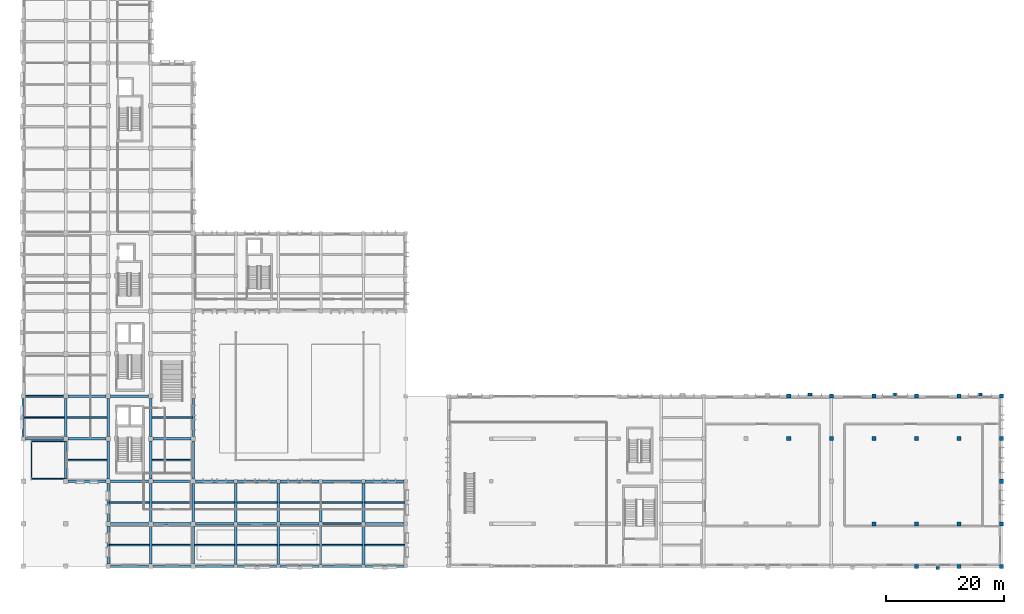
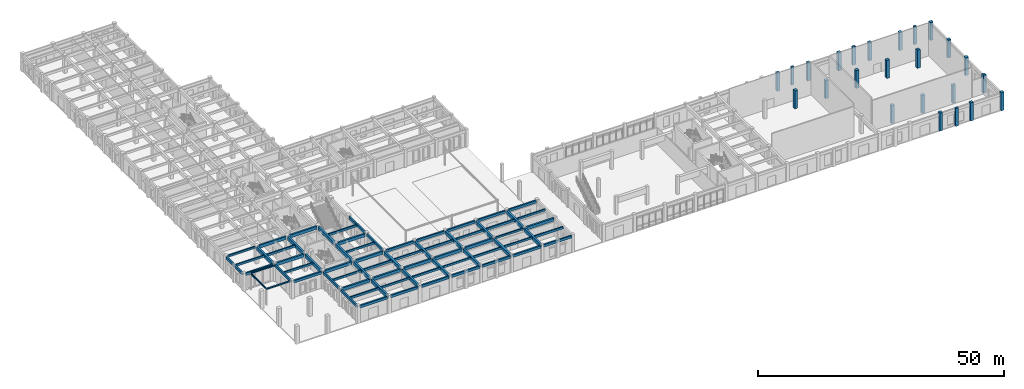
# One storey, part 8 of 43: 73 beams, 24 columns.
"""IFC4 building model written with IfcOpenShell, lengths in metres."""

from ifc_helpers import new_model, si_unit, direction, frame, origin, origin_2d, place, context, subcontext, project, spatial, rectangle, i_section, extrude, material, material_profile, profile_set, type_object, element, save


model = new_model("IFC4")

# Units and contexts
model_context = context("Model", 3, precision=1e-05, world=origin(), true_north=direction((0.0, 1.0)))
body_context = subcontext(model_context, "Body", "Model", "MODEL_VIEW")
ifc_project = project(units=[si_unit("LENGTHUNIT", "METRE"), si_unit("AREAUNIT", "SQUARE_METRE"), si_unit("VOLUMEUNIT", "CUBIC_METRE"), si_unit("PLANEANGLEUNIT", "RADIAN"), si_unit("MASSUNIT", "GRAM", prefix="KILO")], contexts=[model_context])

# Site, building, storey
site_placement = place(None, origin())
site = spatial("IfcSite", under=ifc_project, at=site_placement, CompositionType="ELEMENT")
building_placement = place(site_placement, origin())
building = spatial("IfcBuilding", under=site, at=building_placement, Name="Alvorim Cloister Faculty of Sciences", CompositionType="ELEMENT")
storey_placement = place(building_placement, origin())
storey = spatial("IfcBuildingStorey", under=building, at=storey_placement, Name="L00", CompositionType="ELEMENT", Elevation=0.0)

# Columns
ifc_material_1 = material(Name="Concrete C40", Category="concrete")
ifc_material_profile_1 = material_profile(ifc_material_1, rectangle(XDim=0.679931640625, YDim=0.679931640625, at=origin_2d()), Name="RC40-COL-680x680")
ifc_profile_set_1 = profile_set([ifc_material_profile_1], Name="Concrete C40")
column_type_1 = type_object("IfcColumnType", Name="COL-RC-680", PredefinedType="COLUMN", material=ifc_profile_set_1)
for number, where, z_axis, x_axis, name in (
    (1, (129.60009765625, 21.60009765625, 0.0), (0.0, 0.0, 1.0), (1.0, 0.0, 0.0), "L00 Column COL-0355"),
    (2, (129.60009765625, 28.800048828125, 0.0), (0.0, 0.0, 1.0), (1.0, 0.0, 0.0), "L00 Column COL-0356"),
    (3, (136.800048828125, 21.60009765625, 0.0), (0.0, 0.0, 1.0), (1.0, 0.0, 0.0), "L00 Column COL-0360"),
    (4, (136.800048828125, 28.800048828125, 0.0), (0.0, 0.0, 1.0), (1.0, 0.0, 0.0), "L00 Column COL-0361"),
    (5, (144.0, 7.199951171875, 0.0), (0.0, 0.0, 1.0), (1.0, 0.0, 0.0), "L00 Column COL-0363"),
    (6, (144.0, 21.60009765625, 0.0), (0.0, 0.0, 1.0), (1.0, 0.0, 0.0), "L00 Column COL-0364"),
    (7, (144.0, 28.800048828125, 0.0), (0.0, 0.0, 1.0), (1.0, 0.0, 0.0), "L00 Column COL-0365"),
    (8, (151.199951171875, 0.0, 0.0), (0.0, 0.0, 1.0), (1.0, 0.0, 0.0), "L00 Column COL-0366"),
    (9, (151.199951171875, 7.199951171875, 0.0), (0.0, 0.0, 1.0), (1.0, 0.0, 0.0), "L00 Column COL-0367"),
    (10, (151.199951171875, 21.60009765625, 0.0), (0.0, 0.0, 1.0), (1.0, 0.0, 0.0), "L00 Column COL-0368"),
    (11, (151.199951171875, 28.800048828125, 0.0), (0.0, 0.0, 1.0), (1.0, 0.0, 0.0), "L00 Column COL-0369"),
    (12, (158.39990234375, 0.0, 0.0), (0.0, 0.0, 1.0), (1.0, 0.0, 0.0), "L00 Column COL-0370"),
    (13, (158.39990234375, 7.199951171875, 0.0), (0.0, 0.0, 1.0), (1.0, 0.0, 0.0), "L00 Column COL-0371"),
    (14, (158.39990234375, 21.60009765625, 0.0), (0.0, 0.0, 1.0), (1.0, 0.0, 0.0), "L00 Column COL-0372"),
    (15, (158.39990234375, 28.800048828125, 0.0), (0.0, 0.0, 1.0), (1.0, 0.0, 0.0), "L00 Column COL-0373"),
    (16, (165.60009765625, 0.0, 0.0), (0.0, 0.0, 1.0), (1.0, 0.0, 0.0), "L00 Column COL-0374"),
    (17, (165.60009765625, 7.199951171875, 0.0), (0.0, 0.0, 1.0), (1.0, 0.0, 0.0), "L00 Column COL-0375"),
    (18, (165.60009765625, 14.39990234375, 0.0), (0.0, 0.0, 1.0), (1.0, 0.0, 0.0), "L00 Column COL-0376"),
    (19, (165.60009765625, 21.60009765625, 0.0), (0.0, 0.0, 1.0), (1.0, 0.0, 0.0), "L00 Column COL-0377"),
    (20, (165.60009765625, 28.800048828125, 0.0), (0.0, 0.0, 1.0), (1.0, 0.0, 0.0), "L00 Column COL-0378"),
):
    element("IfcColumn", number, at=place(storey_placement, frame(where, z_axis=z_axis, x_axis=x_axis)), inside=storey, type_object=column_type_1, Name=name, PredefinedType="COLUMN", context=body_context, shape_type="SweptSolid", body=[
        extrude(rectangle(XDim=0.679931640625, YDim=0.679931640625, at=origin_2d()), origin(), (0.0, 0.0, 1.0), 4.5),
    ])
ifc_material_2 = material(Name="Maua Grey Granite Stone", Category="masonry")
ifc_material_profile_2 = material_profile(ifc_material_2, rectangle(XDim=0.4599609375, YDim=0.6201171875, at=origin_2d()), Name="GRN-PIER-460x620")
ifc_profile_set_2 = profile_set([ifc_material_profile_2], Name="Maua Grey Granite Stone")
column_type_2 = type_object("IfcColumnType", Name="PIL-GRN-460x620", PredefinedType="PILASTER", material=ifc_profile_set_2)
for number, where, z_axis, x_axis, name in (
    (21, (154.800048828125, -0.280029296875, 0.0), (0.0, 0.0, 1.0), (0.0, 1.0, 0.0), "L00 Gothic Buttress Pier COL-1191"),
    (22, (133.199951171875, 29.080078125, 0.0), (0.0, 0.0, 1.0), (0.0, 1.0, 0.0), "L00 Gothic Buttress Pier COL-1209"),
    (23, (162.0, 29.080078125, 0.0), (0.0, 0.0, 1.0), (0.0, 1.0, 0.0), "L00 Gothic Buttress Pier COL-1215"),
):
    element("IfcColumn", number, at=place(storey_placement, frame(where, z_axis=z_axis, x_axis=x_axis)), inside=storey, type_object=column_type_2, Name=name, PredefinedType="PILASTER", context=body_context, shape_type="SweptSolid", body=[
        extrude(rectangle(XDim=0.4599609375, YDim=0.6201171875, at=origin_2d()), origin(), (0.0, 0.0, 1.0), 4.5),
    ])
ifc_material_profile_3 = material_profile(ifc_material_2, rectangle(XDim=0.52001953125, YDim=0.719970703125, at=origin_2d()), Name="GRN-PIER-520x720")
ifc_profile_set_3 = profile_set([ifc_material_profile_3], Name="Maua Grey Granite Stone")
column_type_3 = type_object("IfcColumnType", Name="PIL-GRN-520x720", PredefinedType="PILASTER", material=ifc_profile_set_3)
column_placement = place(storey_placement, frame((147.60009765625, 29.080078125, 0.0), z_axis=(0.0, 0.0, 1.0), x_axis=(0.0, 1.0, 0.0)))
element("IfcColumn", 24, at=column_placement, inside=storey, type_object=column_type_3, Name="L00 Gothic Buttress Pier COL-1212", PredefinedType="PILASTER", context=body_context, shape_type="SweptSolid", body=[
    extrude(rectangle(XDim=0.52001953125, YDim=0.719970703125, at=origin_2d()), origin(), (0.0, 0.0, 1.0), 4.5),
])

# Beams
ifc_material_profile_4 = material_profile(ifc_material_1, rectangle(XDim=0.260009765625, YDim=0.5, at=origin_2d()), Name="RC40-JST-260x500")
ifc_profile_set_4 = profile_set([ifc_material_profile_4], Name="Concrete C40")
beam_type_1 = type_object("IfcBeamType", Name="BM-JST-RC-260x500", PredefinedType="JOIST", material=ifc_profile_set_4)
for number, where, z_axis, x_axis, name in (
    (25, (0.175048828125, 25.199951171875, 4.0), (1.0, 0.0, 0.0), (0.0, 1.0, 0.0), "L00 Secondary Floor Joist BM-0814"),
    (26, (7.375, 18.0, 4.0), (1.0, 0.0, 0.0), (0.0, 1.0, 0.0), "L00 Secondary Floor Joist BM-0827"),
    (27, (14.574951171875, 10.800048828125, 4.0), (1.0, 0.0, 0.0), (0.0, 1.0, 0.0), "L00 Secondary Floor Joist BM-0842"),
):
    element("IfcBeam", number, at=place(storey_placement, frame(where, z_axis=z_axis, x_axis=x_axis)), inside=storey, type_object=beam_type_1, Name=name, PredefinedType="JOIST", context=body_context, shape_type="SweptSolid", body=[
        extrude(rectangle(XDim=0.260009765625, YDim=0.5, at=origin_2d()), origin(), (0.0, 0.0, 1.0), 6.800048828125),
    ])
beam_1_placement = place(storey_placement, frame((21.824951171875, 3.60009765625, 4.0), z_axis=(1.0, 0.0, 0.0), x_axis=(0.0, 1.0, 0.0)))
element("IfcBeam", 28, at=beam_1_placement, inside=storey, type_object=beam_type_1, Name="L00 Secondary Floor Joist BM-0849", PredefinedType="JOIST", context=body_context, shape_type="SweptSolid", body=[
    extrude(rectangle(XDim=0.260009765625, YDim=0.5, at=origin_2d()), origin(), (0.0, 0.0, 1.0), 6.75),
])
beam_2_placement = place(storey_placement, frame((21.824951171875, 18.0, 4.0), z_axis=(1.0, 0.0, 0.0), x_axis=(0.0, 1.0, 0.0)))
element("IfcBeam", 29, at=beam_2_placement, inside=storey, type_object=beam_type_1, Name="L00 Secondary Floor Joist BM-0851", PredefinedType="JOIST", context=body_context, shape_type="SweptSolid", body=[
    extrude(rectangle(XDim=0.260009765625, YDim=0.5, at=origin_2d()), origin(), (0.0, 0.0, 1.0), 6.800048828125),
])
for number, where, z_axis, x_axis, name in (
    (30, (29.02490234375, 10.800048828125, 4.0), (1.0, 0.0, 0.0), (0.0, 1.0, 0.0), "L00 Secondary Floor Joist BM-0861"),
    (31, (36.22509765625, 3.60009765625, 4.0), (1.0, 0.0, 0.0), (0.0, 1.0, 0.0), "L00 Secondary Floor Joist BM-0864"),
    (32, (43.425048828125, 10.800048828125, 4.0), (1.0, 0.0, 0.0), (0.0, 1.0, 0.0), "L00 Secondary Floor Joist BM-0868"),
    (33, (50.625, 3.60009765625, 4.0), (1.0, 0.0, 0.0), (0.0, 1.0, 0.0), "L00 Secondary Floor Joist BM-0871"),
):
    element("IfcBeam", number, at=place(storey_placement, frame(where, z_axis=z_axis, x_axis=x_axis)), inside=storey, type_object=beam_type_1, Name=name, PredefinedType="JOIST", context=body_context, shape_type="SweptSolid", body=[
        extrude(rectangle(XDim=0.260009765625, YDim=0.5, at=origin_2d()), origin(), (0.0, 0.0, 1.0), 6.75),
    ])
beam_3_placement = place(storey_placement, frame((57.824951171875, 10.800048828125, 4.0), z_axis=(1.0, 0.0, 0.0), x_axis=(0.0, 1.0, 0.0)))
element("IfcBeam", 34, at=beam_3_placement, inside=storey, type_object=beam_type_1, Name="L00 Secondary Floor Joist BM-0876", PredefinedType="JOIST", context=body_context, shape_type="SweptSolid", body=[
    extrude(rectangle(XDim=0.260009765625, YDim=0.5, at=origin_2d()), origin(), (0.0, 0.0, 1.0), 6.800048828125),
])
ifc_material_profile_5 = material_profile(ifc_material_1, rectangle(XDim=0.300048828125, YDim=0.550048828125, at=origin_2d()), Name="RC40-JST-300x550")
ifc_profile_set_5 = profile_set([ifc_material_profile_5], Name="Concrete C40")
beam_type_2 = type_object("IfcBeamType", Name="BM-JST-RC-300x550", PredefinedType="JOIST", material=ifc_profile_set_5)
beam_4_placement = place(storey_placement, frame((7.425048828125, 25.199951171875, 3.97509765625), z_axis=(1.0, 0.0, 0.0), x_axis=(0.0, 1.0, 0.0)))
element("IfcBeam", 35, at=beam_4_placement, inside=storey, type_object=beam_type_2, Name="L00 Secondary Floor Joist BM-0828", PredefinedType="JOIST", context=body_context, shape_type="SweptSolid", body=[
    extrude(rectangle(XDim=0.300048828125, YDim=0.550048828125, at=origin_2d()), origin(), (0.0, 0.0, 1.0), 6.75),
])
beam_5_placement = place(storey_placement, frame((14.574951171875, 3.60009765625, 3.97509765625), z_axis=(1.0, 0.0, 0.0), x_axis=(0.0, 1.0, 0.0)))
element("IfcBeam", 36, at=beam_5_placement, inside=storey, type_object=beam_type_2, Name="L00 Secondary Floor Joist BM-0841", PredefinedType="JOIST", context=body_context, shape_type="SweptSolid", body=[
    extrude(rectangle(XDim=0.300048828125, YDim=0.550048828125, at=origin_2d()), origin(), (0.0, 0.0, 1.0), 6.800048828125),
])
beam_6_placement = place(storey_placement, frame((21.824951171875, 10.800048828125, 3.97509765625), z_axis=(1.0, 0.0, 0.0), x_axis=(0.0, 1.0, 0.0)))
element("IfcBeam", 37, at=beam_6_placement, inside=storey, type_object=beam_type_2, Name="L00 Secondary Floor Joist BM-0850", PredefinedType="JOIST", context=body_context, shape_type="SweptSolid", body=[
    extrude(rectangle(XDim=0.300048828125, YDim=0.550048828125, at=origin_2d()), origin(), (0.0, 0.0, 1.0), 6.75),
])
beam_7_placement = place(storey_placement, frame((21.824951171875, 25.199951171875, 3.97509765625), z_axis=(1.0, 0.0, 0.0), x_axis=(0.0, 1.0, 0.0)))
element("IfcBeam", 38, at=beam_7_placement, inside=storey, type_object=beam_type_2, Name="L00 Secondary Floor Joist BM-0852", PredefinedType="JOIST", context=body_context, shape_type="SweptSolid", body=[
    extrude(rectangle(XDim=0.300048828125, YDim=0.550048828125, at=origin_2d()), origin(), (0.0, 0.0, 1.0), 6.800048828125),
])
for number, where, z_axis, x_axis, name in (
    (39, (29.02490234375, 3.60009765625, 3.97509765625), (1.0, 0.0, 0.0), (0.0, 1.0, 0.0), "L00 Secondary Floor Joist BM-0860"),
    (40, (36.22509765625, 10.800048828125, 3.97509765625), (1.0, 0.0, 0.0), (0.0, 1.0, 0.0), "L00 Secondary Floor Joist BM-0865"),
    (41, (43.425048828125, 3.60009765625, 3.97509765625), (1.0, 0.0, 0.0), (0.0, 1.0, 0.0), "L00 Secondary Floor Joist BM-0867"),
    (42, (50.625, 10.800048828125, 3.97509765625), (1.0, 0.0, 0.0), (0.0, 1.0, 0.0), "L00 Secondary Floor Joist BM-0872"),
):
    element("IfcBeam", number, at=place(storey_placement, frame(where, z_axis=z_axis, x_axis=x_axis)), inside=storey, type_object=beam_type_2, Name=name, PredefinedType="JOIST", context=body_context, shape_type="SweptSolid", body=[
        extrude(rectangle(XDim=0.300048828125, YDim=0.550048828125, at=origin_2d()), origin(), (0.0, 0.0, 1.0), 6.75),
    ])
beam_8_placement = place(storey_placement, frame((57.824951171875, 3.60009765625, 3.97509765625), z_axis=(1.0, 0.0, 0.0), x_axis=(0.0, 1.0, 0.0)))
element("IfcBeam", 43, at=beam_8_placement, inside=storey, type_object=beam_type_2, Name="L00 Secondary Floor Joist BM-0875", PredefinedType="JOIST", context=body_context, shape_type="SweptSolid", body=[
    extrude(rectangle(XDim=0.300048828125, YDim=0.550048828125, at=origin_2d()), origin(), (0.0, 0.0, 1.0), 6.800048828125),
])
ifc_material_profile_6 = material_profile(ifc_material_1, rectangle(XDim=0.300048828125, YDim=0.449951171875, at=origin_2d()), Name="RC40-LNT-300x450")
ifc_profile_set_6 = profile_set([ifc_material_profile_6], Name="Concrete C40")
beam_type_3 = type_object("IfcBeamType", Name="BM-LNT-RC-300x450", PredefinedType="LINTEL", material=ifc_profile_set_6)
beam_9_placement = place(storey_placement, frame((50.699951171875, 7.199951171875, 4.02490234375), z_axis=(1.0, 0.0, 0.0), x_axis=(0.0, 1.0, 0.0)))
element("IfcBeam", 44, at=beam_9_placement, inside=storey, type_object=beam_type_3, Name="L00 Primary Beam BM-0616", PredefinedType="LINTEL", context=body_context, shape_type="SweptSolid", body=[
    extrude(rectangle(XDim=0.300048828125, YDim=0.449951171875, at=origin_2d()), origin(), (0.0, 0.0, 1.0), 6.60009765625),
])
beam_10_placement = place(storey_placement, frame((0.375, 28.800048828125, 4.02490234375), z_axis=(1.0, 0.0, 0.0), x_axis=(0.0, 1.0, 0.0)))
element("IfcBeam", 45, at=beam_10_placement, inside=storey, type_object=beam_type_3, Name="L00 Primary Beam BM-0632", PredefinedType="LINTEL", context=body_context, shape_type="SweptSolid", body=[
    extrude(rectangle(XDim=0.300048828125, YDim=0.449951171875, at=origin_2d()), origin(), (0.0, 0.0, 1.0), 6.449951171875),
])
ifc_material_profile_7 = material_profile(ifc_material_1, rectangle(XDim=0.39990234375, YDim=0.75, at=origin_2d()), Name="RC40-BM-400x750")
ifc_profile_set_7 = profile_set([ifc_material_profile_7], Name="Concrete C40")
beam_type_4 = type_object("IfcBeamType", Name="BM-RC-400x750", PredefinedType="BEAM", material=ifc_profile_set_7)
beam_11_placement = place(storey_placement, frame((14.77490234375, 7.199951171875, 3.875), z_axis=(1.0, 0.0, 0.0), x_axis=(0.0, 1.0, 0.0)))
element("IfcBeam", 46, at=beam_11_placement, inside=storey, type_object=beam_type_4, Name="L00 Primary Beam BM-0611", PredefinedType="BEAM", context=body_context, shape_type="SweptSolid", body=[
    extrude(rectangle(XDim=0.39990234375, YDim=0.75, at=origin_2d()), origin(), (0.0, 0.0, 1.0), 6.4501953125),
])
beam_12_placement = place(storey_placement, frame((21.97509765625, 7.199951171875, 3.875), z_axis=(1.0, 0.0, 0.0), x_axis=(0.0, 1.0, 0.0)))
element("IfcBeam", 47, at=beam_12_placement, inside=storey, type_object=beam_type_4, Name="L00 Primary Beam BM-0612", PredefinedType="BEAM", context=body_context, shape_type="SweptSolid", body=[
    extrude(rectangle(XDim=0.39990234375, YDim=0.75, at=origin_2d()), origin(), (0.0, 0.0, 1.0), 6.449951171875),
])
beam_13_placement = place(storey_placement, frame((29.175048828125, 7.199951171875, 3.875), z_axis=(1.0, 0.0, 0.0), x_axis=(0.0, 1.0, 0.0)))
element("IfcBeam", 48, at=beam_13_placement, inside=storey, type_object=beam_type_4, Name="L00 Primary Beam BM-0613", PredefinedType="BEAM", context=body_context, shape_type="SweptSolid", body=[
    extrude(rectangle(XDim=0.39990234375, YDim=0.75, at=origin_2d()), origin(), (0.0, 0.0, 1.0), 6.52490234375),
])
beam_14_placement = place(storey_placement, frame((36.300048828125, 7.199951171875, 3.875), z_axis=(1.0, 0.0, 0.0), x_axis=(0.0, 1.0, 0.0)))
element("IfcBeam", 49, at=beam_14_placement, inside=storey, type_object=beam_type_4, Name="L00 Primary Beam BM-0614", PredefinedType="BEAM", context=body_context, shape_type="SweptSolid", body=[
    extrude(rectangle(XDim=0.39990234375, YDim=0.75, at=origin_2d()), origin(), (0.0, 0.0, 1.0), 6.599853515625),
])
for number, where, z_axis, x_axis, name in (
    (50, (43.5, 7.199951171875, 3.875), (1.0, 0.0, 0.0), (0.0, 1.0, 0.0), "L00 Primary Beam BM-0615"),
    (51, (57.89990234375, 7.199951171875, 3.875), (1.0, 0.0, 0.0), (0.0, 1.0, 0.0), "L00 Primary Beam BM-0617"),
):
    element("IfcBeam", number, at=place(storey_placement, frame(where, z_axis=z_axis, x_axis=x_axis)), inside=storey, type_object=beam_type_4, Name=name, PredefinedType="BEAM", context=body_context, shape_type="SweptSolid", body=[
        extrude(rectangle(XDim=0.39990234375, YDim=0.75, at=origin_2d()), origin(), (0.0, 0.0, 1.0), 6.60009765625),
    ])
beam_15_placement = place(storey_placement, frame((14.77490234375, 14.39990234375, 3.875), z_axis=(1.0, 0.0, 0.0), x_axis=(0.0, 1.0, 0.0)))
element("IfcBeam", 52, at=beam_15_placement, inside=storey, type_object=beam_type_4, Name="L00 Primary Beam BM-0620", PredefinedType="BEAM", context=body_context, shape_type="SweptSolid", body=[
    extrude(rectangle(XDim=0.39990234375, YDim=0.75, at=origin_2d()), origin(), (0.0, 0.0, 1.0), 6.4501953125),
])
for number, where, z_axis, x_axis, name in (
    (53, (21.97509765625, 14.39990234375, 3.875), (1.0, 0.0, 0.0), (0.0, 1.0, 0.0), "L00 Primary Beam BM-0621"),
    (54, (7.574951171875, 21.60009765625, 3.875), (1.0, 0.0, 0.0), (0.0, 1.0, 0.0), "L00 Primary Beam BM-0629"),
    (55, (21.97509765625, 21.60009765625, 3.875), (1.0, 0.0, 0.0), (0.0, 1.0, 0.0), "L00 Primary Beam BM-0630"),
    (56, (7.574951171875, 28.800048828125, 3.875), (1.0, 0.0, 0.0), (0.0, 1.0, 0.0), "L00 Primary Beam BM-0633"),
):
    element("IfcBeam", number, at=place(storey_placement, frame(where, z_axis=z_axis, x_axis=x_axis)), inside=storey, type_object=beam_type_4, Name=name, PredefinedType="BEAM", context=body_context, shape_type="SweptSolid", body=[
        extrude(rectangle(XDim=0.39990234375, YDim=0.75, at=origin_2d()), origin(), (0.0, 0.0, 1.0), 6.449951171875),
    ])
beam_16_placement = place(storey_placement, frame((14.77490234375, 28.800048828125, 3.875), z_axis=(1.0, 0.0, 0.0), x_axis=(0.0, 1.0, 0.0)))
element("IfcBeam", 57, at=beam_16_placement, inside=storey, type_object=beam_type_4, Name="L00 Primary Beam BM-0634", PredefinedType="BEAM", context=body_context, shape_type="SweptSolid", body=[
    extrude(rectangle(XDim=0.39990234375, YDim=0.75, at=origin_2d()), origin(), (0.0, 0.0, 1.0), 6.4501953125),
])
ifc_material_profile_8 = material_profile(ifc_material_1, rectangle(XDim=0.449951171875, YDim=0.85009765625, at=origin_2d()), Name="RC40-BM-450x850")
ifc_profile_set_8 = profile_set([ifc_material_profile_8], Name="Concrete C40")
beam_type_5 = type_object("IfcBeamType", Name="BM-RC-450x850", PredefinedType="BEAM", material=ifc_profile_set_8)
beam_17_placement = place(storey_placement, frame((7.199951171875, 21.97509765625, 3.824951171875), z_axis=(0.0, 1.0, 0.0), x_axis=(-1.0, 0.0, 0.0)))
element("IfcBeam", 58, at=beam_17_placement, inside=storey, type_object=beam_type_5, Name="L00 Primary Girder BM-0717", PredefinedType="BEAM", context=body_context, shape_type="SweptSolid", body=[
    extrude(rectangle(XDim=0.449951171875, YDim=0.85009765625, at=origin_2d()), origin(), (0.0, 0.0, 1.0), 6.449951171875),
])
beam_18_placement = place(storey_placement, frame((14.39990234375, 14.77490234375, 3.824951171875), z_axis=(0.0, 1.0, 0.0), x_axis=(-1.0, 0.0, 0.0)))
element("IfcBeam", 59, at=beam_18_placement, inside=storey, type_object=beam_type_5, Name="L00 Primary Girder BM-0732", PredefinedType="BEAM", context=body_context, shape_type="SweptSolid", body=[
    extrude(rectangle(XDim=0.449951171875, YDim=0.85009765625, at=origin_2d()), origin(), (0.0, 0.0, 1.0), 6.4501953125),
])
for number, where, z_axis, x_axis, name in (
    (60, (14.39990234375, 21.97509765625, 3.824951171875), (0.0, 1.0, 0.0), (-1.0, 0.0, 0.0), "L00 Primary Girder BM-0733"),
    (61, (21.60009765625, 0.375, 3.824951171875), (0.0, 1.0, 0.0), (-1.0, 0.0, 0.0), "L00 Primary Girder BM-0746"),
    (62, (21.60009765625, 7.574951171875, 3.824951171875), (0.0, 1.0, 0.0), (-1.0, 0.0, 0.0), "L00 Primary Girder BM-0747"),
):
    element("IfcBeam", number, at=place(storey_placement, frame(where, z_axis=z_axis, x_axis=x_axis)), inside=storey, type_object=beam_type_5, Name=name, PredefinedType="BEAM", context=body_context, shape_type="SweptSolid", body=[
        extrude(rectangle(XDim=0.449951171875, YDim=0.85009765625, at=origin_2d()), origin(), (0.0, 0.0, 1.0), 6.449951171875),
    ])
beam_19_placement = place(storey_placement, frame((21.60009765625, 14.77490234375, 3.824951171875), z_axis=(0.0, 1.0, 0.0), x_axis=(-1.0, 0.0, 0.0)))
element("IfcBeam", 63, at=beam_19_placement, inside=storey, type_object=beam_type_5, Name="L00 Primary Girder BM-0748", PredefinedType="BEAM", context=body_context, shape_type="SweptSolid", body=[
    extrude(rectangle(XDim=0.449951171875, YDim=0.85009765625, at=origin_2d()), origin(), (0.0, 0.0, 1.0), 6.4501953125),
])
for number, where, z_axis, x_axis, name in (
    (64, (21.60009765625, 21.97509765625, 3.824951171875), (0.0, 1.0, 0.0), (-1.0, 0.0, 0.0), "L00 Primary Girder BM-0749"),
    (65, (28.800048828125, 0.375, 3.824951171875), (0.0, 1.0, 0.0), (-1.0, 0.0, 0.0), "L00 Primary Girder BM-0762"),
    (66, (28.800048828125, 7.574951171875, 3.824951171875), (0.0, 1.0, 0.0), (-1.0, 0.0, 0.0), "L00 Primary Girder BM-0763"),
):
    element("IfcBeam", number, at=place(storey_placement, frame(where, z_axis=z_axis, x_axis=x_axis)), inside=storey, type_object=beam_type_5, Name=name, PredefinedType="BEAM", context=body_context, shape_type="SweptSolid", body=[
        extrude(rectangle(XDim=0.449951171875, YDim=0.85009765625, at=origin_2d()), origin(), (0.0, 0.0, 1.0), 6.449951171875),
    ])
beam_20_placement = place(storey_placement, frame((36.0, 0.300048828125, 3.824951171875), z_axis=(0.0, 1.0, 0.0), x_axis=(-1.0, 0.0, 0.0)))
element("IfcBeam", 67, at=beam_20_placement, inside=storey, type_object=beam_type_5, Name="L00 Primary Girder BM-0774", PredefinedType="BEAM", context=body_context, shape_type="SweptSolid", body=[
    extrude(rectangle(XDim=0.449951171875, YDim=0.85009765625, at=origin_2d()), origin(), (0.0, 0.0, 1.0), 6.599853515625),
])
beam_21_placement = place(storey_placement, frame((36.0, 7.5, 3.824951171875), z_axis=(0.0, 1.0, 0.0), x_axis=(-1.0, 0.0, 0.0)))
element("IfcBeam", 68, at=beam_21_placement, inside=storey, type_object=beam_type_5, Name="L00 Primary Girder BM-0775", PredefinedType="BEAM", context=body_context, shape_type="SweptSolid", body=[
    extrude(rectangle(XDim=0.449951171875, YDim=0.85009765625, at=origin_2d()), origin(), (0.0, 0.0, 1.0), 6.60009765625),
])
beam_22_placement = place(storey_placement, frame((43.199951171875, 0.300048828125, 3.824951171875), z_axis=(0.0, 1.0, 0.0), x_axis=(-1.0, 0.0, 0.0)))
element("IfcBeam", 69, at=beam_22_placement, inside=storey, type_object=beam_type_5, Name="L00 Primary Girder BM-0778", PredefinedType="BEAM", context=body_context, shape_type="SweptSolid", body=[
    extrude(rectangle(XDim=0.449951171875, YDim=0.85009765625, at=origin_2d()), origin(), (0.0, 0.0, 1.0), 6.599853515625),
])
beam_23_placement = place(storey_placement, frame((43.199951171875, 7.5, 3.824951171875), z_axis=(0.0, 1.0, 0.0), x_axis=(-1.0, 0.0, 0.0)))
element("IfcBeam", 70, at=beam_23_placement, inside=storey, type_object=beam_type_5, Name="L00 Primary Girder BM-0779", PredefinedType="BEAM", context=body_context, shape_type="SweptSolid", body=[
    extrude(rectangle(XDim=0.449951171875, YDim=0.85009765625, at=origin_2d()), origin(), (0.0, 0.0, 1.0), 6.60009765625),
])
beam_24_placement = place(storey_placement, frame((50.39990234375, 0.300048828125, 3.824951171875), z_axis=(0.0, 1.0, 0.0), x_axis=(-1.0, 0.0, 0.0)))
element("IfcBeam", 71, at=beam_24_placement, inside=storey, type_object=beam_type_5, Name="L00 Primary Girder BM-0782", PredefinedType="BEAM", context=body_context, shape_type="SweptSolid", body=[
    extrude(rectangle(XDim=0.449951171875, YDim=0.85009765625, at=origin_2d()), origin(), (0.0, 0.0, 1.0), 6.599853515625),
])
beam_25_placement = place(storey_placement, frame((50.39990234375, 7.5, 3.824951171875), z_axis=(0.0, 1.0, 0.0), x_axis=(-1.0, 0.0, 0.0)))
element("IfcBeam", 72, at=beam_25_placement, inside=storey, type_object=beam_type_5, Name="L00 Primary Girder BM-0783", PredefinedType="BEAM", context=body_context, shape_type="SweptSolid", body=[
    extrude(rectangle(XDim=0.449951171875, YDim=0.85009765625, at=origin_2d()), origin(), (0.0, 0.0, 1.0), 6.60009765625),
])
beam_26_placement = place(storey_placement, frame((57.60009765625, 0.300048828125, 3.824951171875), z_axis=(0.0, 1.0, 0.0), x_axis=(-1.0, 0.0, 0.0)))
element("IfcBeam", 73, at=beam_26_placement, inside=storey, type_object=beam_type_5, Name="L00 Primary Girder BM-0786", PredefinedType="BEAM", context=body_context, shape_type="SweptSolid", body=[
    extrude(rectangle(XDim=0.449951171875, YDim=0.85009765625, at=origin_2d()), origin(), (0.0, 0.0, 1.0), 6.599853515625),
])
beam_27_placement = place(storey_placement, frame((57.60009765625, 7.5, 3.824951171875), z_axis=(0.0, 1.0, 0.0), x_axis=(-1.0, 0.0, 0.0)))
element("IfcBeam", 74, at=beam_27_placement, inside=storey, type_object=beam_type_5, Name="L00 Primary Girder BM-0787", PredefinedType="BEAM", context=body_context, shape_type="SweptSolid", body=[
    extrude(rectangle(XDim=0.449951171875, YDim=0.85009765625, at=origin_2d()), origin(), (0.0, 0.0, 1.0), 6.60009765625),
])
ifc_material_profile_9 = material_profile(ifc_material_1, rectangle(XDim=0.35009765625, YDim=0.6201171875, at=origin_2d()), Name="RC40-SPD-350x620")
ifc_profile_set_9 = profile_set([ifc_material_profile_9], Name="Concrete C40")
beam_type_6 = type_object("IfcBeamType", Name="BM-SPD-RC-350x620", PredefinedType="SPANDREL", material=ifc_profile_set_9)
beam_28_placement = place(storey_placement, frame((14.77490234375, 0.0, 3.93994140625), z_axis=(1.0, 0.0, 0.0), x_axis=(0.0, 1.0, 0.0)))
element("IfcBeam", 75, at=beam_28_placement, inside=storey, type_object=beam_type_6, Name="L00 Primary Beam BM-0591", PredefinedType="SPANDREL", context=body_context, shape_type="SweptSolid", body=[
    extrude(rectangle(XDim=0.35009765625, YDim=0.6201171875, at=origin_2d()), origin(), (0.0, 0.0, 1.0), 6.4501953125),
])
beam_29_placement = place(storey_placement, frame((21.97509765625, 0.0, 3.93994140625), z_axis=(1.0, 0.0, 0.0), x_axis=(0.0, 1.0, 0.0)))
element("IfcBeam", 76, at=beam_29_placement, inside=storey, type_object=beam_type_6, Name="L00 Primary Beam BM-0592", PredefinedType="SPANDREL", context=body_context, shape_type="SweptSolid", body=[
    extrude(rectangle(XDim=0.35009765625, YDim=0.6201171875, at=origin_2d()), origin(), (0.0, 0.0, 1.0), 6.449951171875),
])
beam_30_placement = place(storey_placement, frame((29.175048828125, 0.0, 3.93994140625), z_axis=(1.0, 0.0, 0.0), x_axis=(0.0, 1.0, 0.0)))
element("IfcBeam", 77, at=beam_30_placement, inside=storey, type_object=beam_type_6, Name="L00 Primary Beam BM-0593", PredefinedType="SPANDREL", context=body_context, shape_type="SweptSolid", body=[
    extrude(rectangle(XDim=0.35009765625, YDim=0.6201171875, at=origin_2d()), origin(), (0.0, 0.0, 1.0), 6.52490234375),
])
beam_31_placement = place(storey_placement, frame((36.300048828125, 0.0, 3.93994140625), z_axis=(1.0, 0.0, 0.0), x_axis=(0.0, 1.0, 0.0)))
element("IfcBeam", 78, at=beam_31_placement, inside=storey, type_object=beam_type_6, Name="L00 Primary Beam BM-0594", PredefinedType="SPANDREL", context=body_context, shape_type="SweptSolid", body=[
    extrude(rectangle(XDim=0.35009765625, YDim=0.6201171875, at=origin_2d()), origin(), (0.0, 0.0, 1.0), 6.599853515625),
])
for number, where, z_axis, x_axis, name in (
    (79, (43.5, 0.0, 3.93994140625), (1.0, 0.0, 0.0), (0.0, 1.0, 0.0), "L00 Primary Beam BM-0595"),
    (80, (50.699951171875, 0.0, 3.93994140625), (1.0, 0.0, 0.0), (0.0, 1.0, 0.0), "L00 Primary Beam BM-0596"),
    (81, (57.89990234375, 0.0, 3.93994140625), (1.0, 0.0, 0.0), (0.0, 1.0, 0.0), "L00 Primary Beam BM-0597"),
):
    element("IfcBeam", number, at=place(storey_placement, frame(where, z_axis=z_axis, x_axis=x_axis)), inside=storey, type_object=beam_type_6, Name=name, PredefinedType="SPANDREL", context=body_context, shape_type="SweptSolid", body=[
        extrude(rectangle(XDim=0.35009765625, YDim=0.6201171875, at=origin_2d()), origin(), (0.0, 0.0, 1.0), 6.60009765625),
    ])
beam_32_placement = place(storey_placement, frame((7.574951171875, 14.39990234375, 3.93994140625), z_axis=(1.0, 0.0, 0.0), x_axis=(0.0, 1.0, 0.0)))
element("IfcBeam", 82, at=beam_32_placement, inside=storey, type_object=beam_type_6, Name="L00 Primary Beam BM-0619", PredefinedType="SPANDREL", context=body_context, shape_type="SweptSolid", body=[
    extrude(rectangle(XDim=0.35009765625, YDim=0.6201171875, at=origin_2d()), origin(), (0.0, 0.0, 1.0), 6.449951171875),
])
beam_33_placement = place(storey_placement, frame((29.175048828125, 14.39990234375, 3.93994140625), z_axis=(1.0, 0.0, 0.0), x_axis=(0.0, 1.0, 0.0)))
element("IfcBeam", 83, at=beam_33_placement, inside=storey, type_object=beam_type_6, Name="L00 Primary Beam BM-0622", PredefinedType="SPANDREL", context=body_context, shape_type="SweptSolid", body=[
    extrude(rectangle(XDim=0.35009765625, YDim=0.6201171875, at=origin_2d()), origin(), (0.0, 0.0, 1.0), 6.52490234375),
])
beam_34_placement = place(storey_placement, frame((36.300048828125, 14.39990234375, 3.93994140625), z_axis=(1.0, 0.0, 0.0), x_axis=(0.0, 1.0, 0.0)))
element("IfcBeam", 84, at=beam_34_placement, inside=storey, type_object=beam_type_6, Name="L00 Primary Beam BM-0623", PredefinedType="SPANDREL", context=body_context, shape_type="SweptSolid", body=[
    extrude(rectangle(XDim=0.35009765625, YDim=0.6201171875, at=origin_2d()), origin(), (0.0, 0.0, 1.0), 6.599853515625),
])
for number, where, z_axis, x_axis, name in (
    (85, (43.5, 14.39990234375, 3.93994140625), (1.0, 0.0, 0.0), (0.0, 1.0, 0.0), "L00 Primary Beam BM-0624"),
    (86, (50.699951171875, 14.39990234375, 3.93994140625), (1.0, 0.0, 0.0), (0.0, 1.0, 0.0), "L00 Primary Beam BM-0625"),
    (87, (57.89990234375, 14.39990234375, 3.93994140625), (1.0, 0.0, 0.0), (0.0, 1.0, 0.0), "L00 Primary Beam BM-0626"),
):
    element("IfcBeam", number, at=place(storey_placement, frame(where, z_axis=z_axis, x_axis=x_axis)), inside=storey, type_object=beam_type_6, Name=name, PredefinedType="SPANDREL", context=body_context, shape_type="SweptSolid", body=[
        extrude(rectangle(XDim=0.35009765625, YDim=0.6201171875, at=origin_2d()), origin(), (0.0, 0.0, 1.0), 6.60009765625),
    ])
for number, where, z_axis, x_axis, name in (
    (88, (0.375, 21.60009765625, 3.93994140625), (1.0, 0.0, 0.0), (0.0, 1.0, 0.0), "L00 Primary Beam BM-0628"),
    (89, (0.0, 21.97509765625, 3.93994140625), (0.0, 1.0, 0.0), (-1.0, 0.0, 0.0), "L00 Primary Girder BM-0703"),
):
    element("IfcBeam", number, at=place(storey_placement, frame(where, z_axis=z_axis, x_axis=x_axis)), inside=storey, type_object=beam_type_6, Name=name, PredefinedType="SPANDREL", context=body_context, shape_type="SweptSolid", body=[
        extrude(rectangle(XDim=0.35009765625, YDim=0.6201171875, at=origin_2d()), origin(), (0.0, 0.0, 1.0), 6.449951171875),
    ])
beam_35_placement = place(storey_placement, frame((7.199951171875, 14.77490234375, 3.93994140625), z_axis=(0.0, 1.0, 0.0), x_axis=(-1.0, 0.0, 0.0)))
element("IfcBeam", 90, at=beam_35_placement, inside=storey, type_object=beam_type_6, Name="L00 Primary Girder BM-0716", PredefinedType="SPANDREL", context=body_context, shape_type="SweptSolid", body=[
    extrude(rectangle(XDim=0.35009765625, YDim=0.6201171875, at=origin_2d()), origin(), (0.0, 0.0, 1.0), 6.4501953125),
])
for number, where, z_axis, x_axis, name in (
    (91, (14.39990234375, 0.375, 3.93994140625), (0.0, 1.0, 0.0), (-1.0, 0.0, 0.0), "L00 Primary Girder BM-0730"),
    (92, (14.39990234375, 7.574951171875, 3.93994140625), (0.0, 1.0, 0.0), (-1.0, 0.0, 0.0), "L00 Primary Girder BM-0731"),
):
    element("IfcBeam", number, at=place(storey_placement, frame(where, z_axis=z_axis, x_axis=x_axis)), inside=storey, type_object=beam_type_6, Name=name, PredefinedType="SPANDREL", context=body_context, shape_type="SweptSolid", body=[
        extrude(rectangle(XDim=0.35009765625, YDim=0.6201171875, at=origin_2d()), origin(), (0.0, 0.0, 1.0), 6.449951171875),
    ])
beam_36_placement = place(storey_placement, frame((28.800048828125, 14.77490234375, 3.93994140625), z_axis=(0.0, 1.0, 0.0), x_axis=(-1.0, 0.0, 0.0)))
element("IfcBeam", 93, at=beam_36_placement, inside=storey, type_object=beam_type_6, Name="L00 Primary Girder BM-0764", PredefinedType="SPANDREL", context=body_context, shape_type="SweptSolid", body=[
    extrude(rectangle(XDim=0.35009765625, YDim=0.6201171875, at=origin_2d()), origin(), (0.0, 0.0, 1.0), 6.4501953125),
])
beam_37_placement = place(storey_placement, frame((28.800048828125, 21.97509765625, 3.93994140625), z_axis=(0.0, 1.0, 0.0), x_axis=(-1.0, 0.0, 0.0)))
element("IfcBeam", 94, at=beam_37_placement, inside=storey, type_object=beam_type_6, Name="L00 Primary Girder BM-0765", PredefinedType="SPANDREL", context=body_context, shape_type="SweptSolid", body=[
    extrude(rectangle(XDim=0.35009765625, YDim=0.6201171875, at=origin_2d()), origin(), (0.0, 0.0, 1.0), 6.449951171875),
])
ifc_material_3 = material(Name="Steel ASTM A572 Grade 50", Category="steel")
ifc_material_profile_10 = material_profile(ifc_material_3, i_section(OverallWidth=0.1708984375, OverallDepth=0.35498046875, WebThickness=0.007080078125, FlangeThickness=0.01171875, FilletRadius=0.012939453125, at=origin_2d()), Name="W360x51.0")
ifc_profile_set_10 = profile_set([ifc_material_profile_10], Name="Steel ASTM A572 Grade 50")
beam_type_7 = type_object("IfcBeamType", Name="BM-STL-W360", PredefinedType="JOIST", material=ifc_profile_set_10)
for number, where, z_axis, x_axis, name in (
    (95, (1.39990234375, 14.800048828125, 4.0224609375), (1.0, 0.0, 0.0), (0.0, 1.0, 0.0), "L00 Entrance Canopy South Tie BM-2227"),
    (96, (1.39990234375, 21.199951171875, 4.0224609375), (1.0, 0.0, 0.0), (0.0, 1.0, 0.0), "L00 Entrance Canopy North Tie BM-2228"),
):
    element("IfcBeam", number, at=place(storey_placement, frame(where, z_axis=z_axis, x_axis=x_axis)), inside=storey, type_object=beam_type_7, Name=name, PredefinedType="JOIST", context=body_context, shape_type="SweptSolid", body=[
        extrude(i_section(OverallWidth=0.1708984375, OverallDepth=0.35498046875, WebThickness=0.007080078125, FlangeThickness=0.01171875, FilletRadius=0.012939453125, at=origin_2d()), origin(), (0.0, 0.0, 1.0), 5.650146484375),
    ])
ifc_material_profile_11 = material_profile(ifc_material_3, i_section(OverallWidth=0.177978515625, OverallDepth=0.406982421875, WebThickness=0.0078125, FlangeThickness=0.0126953125, FilletRadius=0.012939453125, at=origin_2d()), Name="W410x60.0")
ifc_profile_set_11 = profile_set([ifc_material_profile_11], Name="Steel ASTM A572 Grade 50")
beam_type_8 = type_object("IfcBeamType", Name="BM-STL-W410", PredefinedType="BEAM", material=ifc_profile_set_11)
beam_38_placement = place(storey_placement, frame((1.39990234375, 14.800048828125, 3.99658203125), z_axis=(0.0, 1.0, 0.0), x_axis=(-1.0, 0.0, 0.0)))
element("IfcBeam", 97, at=beam_38_placement, inside=storey, type_object=beam_type_8, Name="L00 Entrance Canopy Portal Girder BM-2226", PredefinedType="BEAM", context=body_context, shape_type="SweptSolid", body=[
    extrude(i_section(OverallWidth=0.177978515625, OverallDepth=0.406982421875, WebThickness=0.0078125, FlangeThickness=0.0126953125, FilletRadius=0.012939453125, at=origin_2d()), origin(), (0.0, 0.0, 1.0), 6.39990234375),
])

save(model, "model.ifc")
